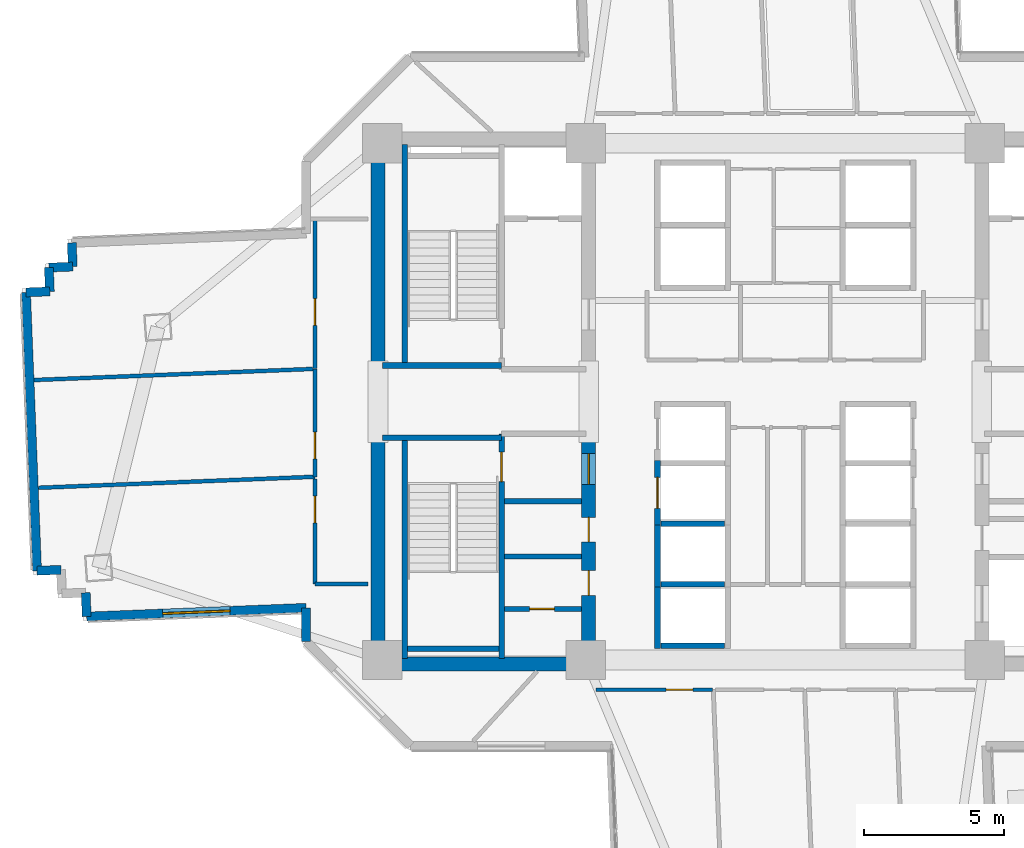
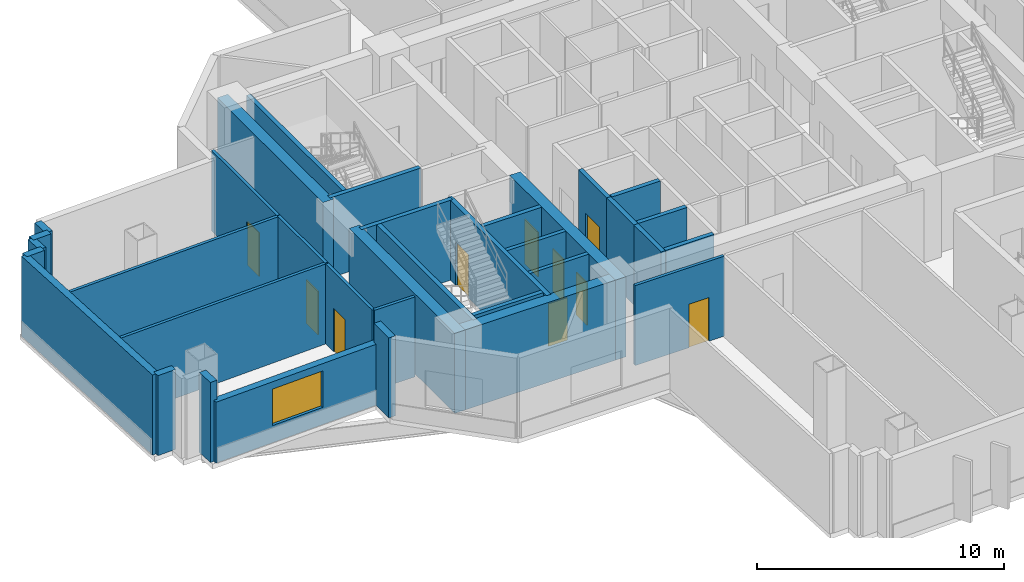
# One storey, part 6 of 16: 35 walls, 10 doors, 1 window, 11 openings.
"""IFC4 building model written with IfcOpenShell, lengths in metres."""

from ifc_helpers import new_model, si_unit, direction, frame, frame_2d, origin, place, context, subcontext, project, spatial, rectangle, extrude, source, transform, mapped, material, layer, layer_set, type_object, element, fill, save


model = new_model("IFC4")

# Units and contexts
model_context = context("Model", 3, precision=1e-05, world=origin(), true_north=direction((0.0, 1.0)))
body_context = subcontext(model_context, "Body", "Model", "MODEL_VIEW")
ifc_project = project(units=[si_unit("LENGTHUNIT", "METRE"), si_unit("AREAUNIT", "SQUARE_METRE"), si_unit("VOLUMEUNIT", "CUBIC_METRE"), si_unit("PLANEANGLEUNIT", "RADIAN"), si_unit("MASSUNIT", "GRAM", prefix="KILO")], contexts=[model_context])

# Site, building, storey
site_placement = place(None, origin())
site = spatial("IfcSite", under=ifc_project, at=site_placement, CompositionType="ELEMENT")
building_placement = place(site_placement, origin())
building = spatial("IfcBuilding", under=site, at=building_placement, Name="Zahravan Cultural Tower", CompositionType="ELEMENT")
storey_placement = place(building_placement, frame((0.0, 0.0, 54.300048828125)))
storey = spatial("IfcBuildingStorey", under=building, at=storey_placement, Name="L11", CompositionType="ELEMENT", Elevation=54.300048828125)

# Wall, openings, doors
ifc_material_1 = material(Name="Concrete C60/75", Category="concrete")
ifc_layer_1 = layer(ifc_material_1, 0.5)
ifc_layer_set_1 = layer_set([ifc_layer_1], Name="Concrete C60/75")
wall_type_1 = type_object("IfcWallType", Name="CW-SHEAR-500-C60", PredefinedType="SHEAR", material=ifc_layer_set_1)
wall_1_placement = place(storey_placement, frame((29.0, 17.39990234375, 0.0), z_axis=(0.0, 0.0, 1.0), x_axis=(0.0, 1.0, 0.0)))
wall_1 = element("IfcWall", 1, at=wall_1_placement, inside=storey, type_object=wall_type_1, Name="L11 Core Shear Wall CW-W-ES-L11", PredefinedType="SHEAR", context=body_context, shape_type="SweptSolid", body=[
    extrude(rectangle(XDim=8.550048828125, YDim=0.5, at=frame_2d((4.27490234375, 0.0))), origin(), (0.0, 0.0, 1.0), 3.949951171875),
])
opening_1_placement = place(wall_1_placement, frame((6.64990234375, 0.0, 0.0)))
opening_1 = element("IfcOpeningElement", 2, at=opening_1_placement, cuts=wall_1, Name="Opening D-L11-07", PredefinedType="OPENING", context=body_context, shape_type="SweptSolid", body=[
    extrude(rectangle(XDim=1.10009765625, YDim=2.199951171875, at=frame_2d((0.550048828125, 1.10009765625))), frame((0.0, 0.260009765625, 0.0), z_axis=(0.0, -1.0, 0.0), x_axis=(1.0, 0.0, 0.0)), (0.0, 0.0, 1.0), 0.52001953125),
])
opening_2_placement = place(wall_1_placement, frame((2.699951171875, 0.0, 0.0)))
opening_2 = element("IfcOpeningElement", 3, at=opening_2_placement, cuts=wall_1, Name="Opening D-L11-10", PredefinedType="OPENING", context=body_context, shape_type="SweptSolid", body=[
    extrude(rectangle(XDim=0.8798828125, YDim=2.10009765625, at=frame_2d((0.43994140625, 1.050048828125))), frame((0.0, 0.260009765625, 0.0), z_axis=(0.0, -1.0, 0.0), x_axis=(1.0, 0.0, 0.0)), (0.0, 0.0, 1.0), 0.52001953125),
])
opening_3_placement = place(wall_1_placement, frame((4.60009765625, 0.0, 0.0)))
opening_3 = element("IfcOpeningElement", 4, at=opening_3_placement, cuts=wall_1, Name="Opening D-L11-11", PredefinedType="OPENING", context=body_context, shape_type="SweptSolid", body=[
    extrude(rectangle(XDim=0.8798828125, YDim=2.10009765625, at=frame_2d((0.43994140625, 1.050048828125))), frame((0.0, 0.260009765625, 0.0), z_axis=(0.0, -1.0, 0.0), x_axis=(1.0, 0.0, 0.0)), (0.0, 0.0, 1.0), 0.52001953125),
])
ifc_material_2 = material(Name="Steel ASTM A572 Grade 50", Category="steel")
door_type_1 = type_object("IfcDoorType", Name="DR-LOBBY-1100", OperationType="NOTDEFINED", PredefinedType="DOOR", material=ifc_material_2)
shared_shape_1 = source(origin(), body_context, "Body", "SweptSolid", [
    extrude(rectangle(XDim=1.10009765625, YDim=2.199951171875, at=frame_2d((0.550048828125, 1.10009765625))), frame((0.0, 0.02490234375, 0.0), z_axis=(0.0, -1.0, 0.0), x_axis=(1.0, 0.0, 0.0)), (0.0, 0.0, 1.0), 0.050048828125),
])
door_1_placement = place(opening_1_placement, origin())
door_1 = element("IfcDoor", 5, at=door_1_placement, inside=storey, type_object=door_type_1, Name="L11 Door D-L11-07", OperationType="SINGLE_SWING_LEFT", OverallHeight=2.199951171875, OverallWidth=1.10009765625, PredefinedType="DOOR", context=body_context, shape_type="MappedRepresentation", body=[
    mapped(shared_shape_1, transform((0.0, 0.0, 0.0), x_axis=(1.0, 0.0, 0.0), y_axis=(0.0, 1.0, 0.0), z_axis=(0.0, 0.0, 1.0), scale=1.0)),
])
fill(opening_1, door_1)
door_type_2 = type_object("IfcDoorType", Name="DR-SVC-880", OperationType="NOTDEFINED", PredefinedType="DOOR", material=ifc_material_2)
shared_shape_2 = source(origin(), body_context, "Body", "SweptSolid", [
    extrude(rectangle(XDim=0.8798828125, YDim=2.10009765625, at=frame_2d((0.43994140625, 1.050048828125))), frame((0.0, 0.02490234375, 0.0), z_axis=(0.0, -1.0, 0.0), x_axis=(1.0, 0.0, 0.0)), (0.0, 0.0, 1.0), 0.050048828125),
])
door_2_placement = place(opening_2_placement, origin())
door_2 = element("IfcDoor", 6, at=door_2_placement, inside=storey, type_object=door_type_2, Name="L11 Door D-L11-10", OperationType="SINGLE_SWING_RIGHT", OverallHeight=2.10009765625, OverallWidth=0.8798828125, PredefinedType="DOOR", context=body_context, shape_type="MappedRepresentation", body=[
    mapped(shared_shape_2, transform((0.0, 0.0, 0.0), x_axis=(1.0, 0.0, 0.0), y_axis=(0.0, 1.0, 0.0), z_axis=(0.0, 0.0, 1.0), scale=1.0)),
])
fill(opening_2, door_2)
door_3_placement = place(opening_3_placement, origin())
door_3 = element("IfcDoor", 7, at=door_3_placement, inside=storey, type_object=door_type_2, Name="L11 Door D-L11-11", OperationType="SINGLE_SWING_LEFT", OverallHeight=2.10009765625, OverallWidth=0.8798828125, PredefinedType="DOOR", context=body_context, shape_type="MappedRepresentation", body=[
    mapped(shared_shape_2, transform((0.0, 0.0, 0.0), x_axis=(1.0, 0.0, 0.0), y_axis=(0.0, 1.0, 0.0), z_axis=(0.0, 0.0, 1.0), scale=1.0)),
])
fill(opening_3, door_3)

# Wall, opening, window
ifc_material_3 = material(Name="Precast concrete C40/50", Category="concrete")
ifc_layer_2 = layer(ifc_material_3, 0.320068359375)
ifc_layer_set_2 = layer_set([ifc_layer_2], Name="Precast concrete C40/50")
wall_type_2 = type_object("IfcWallType", Name="EW-TC-320", PredefinedType="SOLIDWALL", material=ifc_layer_set_2)
wall_2_placement = place(storey_placement, frame((18.93994140625, 19.655517578125, 0.0), z_axis=(0.0, 0.0, 1.0), x_axis=(-0.999208917222, -0.039768577336, 0.0)))
wall_2 = element("IfcWall", 8, at=wall_2_placement, inside=storey, type_object=wall_type_2, Name="L11 Exterior Masonry Frame Wall 28", PredefinedType="SOLIDWALL", context=body_context, shape_type="SweptSolid", body=[
    extrude(rectangle(XDim=7.821044921875, YDim=0.320068359375, at=frame_2d((3.91064453125, 0.0))), origin(), (0.0, 0.0, 1.0), 3.010009765625),
])
opening_4_placement = place(wall_2_placement, frame((2.7109375, 0.0, 0.85009765625)))
opening_4 = element("IfcOpeningElement", 9, at=opening_4_placement, cuts=wall_2, Name="Opening WN-01", PredefinedType="OPENING", context=body_context, shape_type="SweptSolid", body=[
    extrude(rectangle(XDim=2.39990234375, YDim=1.800048828125, at=frame_2d((1.199951171875, 0.89990234375))), frame((0.0, 0.169921875, 0.0), z_axis=(0.0, -1.0, 0.0), x_axis=(1.0, 0.0, 0.0)), (0.0, 0.0, 1.0), 0.340087890625),
])
ifc_material_4 = material(Name="Low-E solar-control double glazing", Category="glass")
window_type = type_object("IfcWindowType", Name="WN-REC-2400X1800", PartitioningType="DOUBLE_PANEL_VERTICAL", PredefinedType="WINDOW", material=ifc_material_4)
shared_shape_3 = source(origin(), body_context, "Body", "SweptSolid", [
    extrude(rectangle(XDim=2.39990234375, YDim=1.800048828125, at=frame_2d((1.199951171875, 0.89990234375))), frame((0.0, 0.030029296875, 0.0), z_axis=(0.0, -1.0, 0.0), x_axis=(1.0, 0.0, 0.0)), (0.0, 0.0, 1.0), 0.06005859375),
])
window_placement = place(opening_4_placement, origin())
window = element("IfcWindow", 10, at=window_placement, inside=storey, type_object=window_type, Name="L11 Recessed Solar Window 08", OverallHeight=1.800048828125, OverallWidth=2.39990234375, PartitioningType="DOUBLE_PANEL_VERTICAL", PredefinedType="WINDOW", context=body_context, shape_type="MappedRepresentation", body=[
    mapped(shared_shape_3, transform((0.0, 0.0, 0.0), x_axis=(1.0, 0.0, 0.0), y_axis=(0.0, 1.0, 0.0), z_axis=(0.0, 0.0, 1.0), scale=1.0)),
])
fill(opening_4, window)

# Wall, opening, door
ifc_material_5 = material(Name="Gypsum plasterboard partition")
ifc_layer_3 = layer(ifc_material_5, 0.179931640625)
ifc_layer_set_3 = layer_set([ifc_layer_3], Name="Gypsum plasterboard partition")
wall_type_3 = type_object("IfcWallType", Name="W-COMP-180", PredefinedType="PARTITIONING", material=ifc_layer_set_3)
wall_3_placement = place(storey_placement, frame((26.0, 19.6201171875, 0.0), z_axis=(0.0, 0.0, 1.0), x_axis=(1.0, 0.0, 0.0)))
wall_3 = element("IfcWall", 11, at=wall_3_placement, inside=storey, type_object=wall_type_3, Name="L11 Interior Wall 026", PredefinedType="PARTITIONING", context=body_context, shape_type="SweptSolid", body=[
    extrude(rectangle(XDim=2.75, YDim=0.179931640625, at=frame_2d((1.375, 0.0))), origin(), (0.0, 0.0, 1.0), 3.949951171875),
])
opening_5_placement = place(wall_3_placement, frame((0.89990234375, 0.0, 0.0)))
opening_5 = element("IfcOpeningElement", 12, at=opening_5_placement, cuts=wall_3, Name="Opening D-L11-09", PredefinedType="OPENING", context=body_context, shape_type="SweptSolid", body=[
    extrude(rectangle(XDim=0.8798828125, YDim=2.10009765625, at=frame_2d((0.43994140625, 1.050048828125))), frame((0.0, 0.099853515625, 0.0), z_axis=(0.0, -1.0, 0.0), x_axis=(1.0, 0.0, 0.0)), (0.0, 0.0, 1.0), 0.199951171875),
])
door_4_placement = place(opening_5_placement, origin())
door_4 = element("IfcDoor", 13, at=door_4_placement, inside=storey, type_object=door_type_2, Name="L11 Door D-L11-09", OperationType="SINGLE_SWING_LEFT", OverallHeight=2.10009765625, OverallWidth=0.8798828125, PredefinedType="DOOR", context=body_context, shape_type="MappedRepresentation", body=[
    mapped(shared_shape_2, transform((0.0, 0.0, 0.0), x_axis=(1.0, 0.0, 0.0), y_axis=(0.0, 1.0, 0.0), z_axis=(0.0, 0.0, 1.0), scale=1.0)),
])
fill(opening_5, door_4)

ifc_layer_4 = layer(ifc_material_5, 0.139892578125)
ifc_layer_set_4 = layer_set([ifc_layer_4], Name="Gypsum plasterboard partition")
wall_type_4 = type_object("IfcWallType", Name="W-PART-140", PredefinedType="PARTITIONING", material=ifc_layer_set_4)
wall_4_placement = place(storey_placement, frame((19.25, 28.16455078125, 0.0), z_axis=(0.0, 0.0, 1.0), x_axis=(0.0, -1.0, 0.0)))
wall_4 = element("IfcWall", 14, at=wall_4_placement, inside=storey, type_object=wall_type_4, Name="L11 Interior Wall 094", PredefinedType="PARTITIONING", context=body_context, shape_type="SweptSolid", body=[
    extrude(rectangle(XDim=3.843017578125, YDim=0.139892578125, at=frame_2d((1.92138671875, 0.0))), origin(), (0.0, 0.0, 1.0), 3.949951171875),
])
opening_6_placement = place(wall_4_placement, frame((2.256591796875, 0.0, 0.0)))
opening_6 = element("IfcOpeningElement", 15, at=opening_6_placement, cuts=wall_4, Name="Opening D-L11-29", PredefinedType="OPENING", context=body_context, shape_type="SweptSolid", body=[
    extrude(rectangle(XDim=0.949951171875, YDim=2.14990234375, at=frame_2d((0.47509765625, 1.074951171875))), frame((0.0, 0.079833984375, 0.0), z_axis=(0.0, -1.0, 0.0), x_axis=(1.0, 0.0, 0.0)), (0.0, 0.0, 1.0), 0.159912109375),
])
ifc_material_6 = material(Name="Anodised bronze-aluminium mullion", Category="aluminium")
door_type_3 = type_object("IfcDoorType", Name="DR-ROOM-950", OperationType="NOTDEFINED", PredefinedType="DOOR", material=ifc_material_6)
shared_shape_4 = source(origin(), body_context, "Body", "SweptSolid", [
    extrude(rectangle(XDim=0.949951171875, YDim=2.14990234375, at=frame_2d((0.47509765625, 1.074951171875))), frame((0.0, 0.02490234375, 0.0), z_axis=(0.0, -1.0, 0.0), x_axis=(1.0, 0.0, 0.0)), (0.0, 0.0, 1.0), 0.050048828125),
])
door_5_placement = place(opening_6_placement, origin())
door_5 = element("IfcDoor", 16, at=door_5_placement, inside=storey, type_object=door_type_3, Name="L11 Door D-L11-29", OperationType="SINGLE_SWING_LEFT", OverallHeight=2.14990234375, OverallWidth=0.949951171875, PredefinedType="DOOR", context=body_context, shape_type="MappedRepresentation", body=[
    mapped(shared_shape_4, transform((0.0, 0.0, 0.0), x_axis=(1.0, 0.0, 0.0), y_axis=(0.0, 1.0, 0.0), z_axis=(0.0, 0.0, 1.0), scale=1.0)),
])
fill(opening_6, door_5)

wall_5_placement = place(storey_placement, frame((19.25048828125, 33.496337890625, 0.0), z_axis=(0.0, 0.0, 1.0), x_axis=(-9.1924438e-05, -0.999999995775, 0.0)))
wall_5 = element("IfcWall", 17, at=wall_5_placement, inside=storey, type_object=wall_type_4, Name="L11 Interior Wall 114", PredefinedType="PARTITIONING", context=body_context, shape_type="SweptSolid", body=[
    extrude(rectangle(XDim=5.311767578125, YDim=0.139892578125, at=frame_2d((2.65576171875, 0.0))), origin(), (0.0, 0.0, 1.0), 3.949951171875),
])
opening_7_placement = place(wall_5_placement, frame((2.835205078125, 0.0, 0.0)))
opening_7 = element("IfcOpeningElement", 18, at=opening_7_placement, cuts=wall_5, Name="Opening D-L11-28", PredefinedType="OPENING", context=body_context, shape_type="SweptSolid", body=[
    extrude(rectangle(XDim=0.949951171875, YDim=2.14990234375, at=frame_2d((0.47509765625, 1.074951171875))), frame((0.0, 0.079833984375, 0.0), z_axis=(0.0, -1.0, 0.0), x_axis=(1.0, 0.0, 0.0)), (0.0, 0.0, 1.0), 0.159912109375),
])
door_6_placement = place(opening_7_placement, origin())
door_6 = element("IfcDoor", 19, at=door_6_placement, inside=storey, type_object=door_type_3, Name="L11 Door D-L11-28", OperationType="SINGLE_SWING_RIGHT", OverallHeight=2.14990234375, OverallWidth=0.949951171875, PredefinedType="DOOR", context=body_context, shape_type="MappedRepresentation", body=[
    mapped(shared_shape_4, transform((0.0, 0.0, 0.0), x_axis=(1.0, 0.0, 0.0), y_axis=(0.0, 1.0, 0.0), z_axis=(0.0, 0.0, 1.0), scale=1.0)),
])
fill(opening_7, door_6)

wall_6_placement = place(storey_placement, frame((19.25, 24.24658203125, 0.0), z_axis=(0.0, 0.0, 1.0), x_axis=(0.000326008981, -0.999999946859, 0.0)))
wall_6 = element("IfcWall", 20, at=wall_6_placement, inside=storey, type_object=wall_type_4, Name="L11 Interior Wall 123", PredefinedType="PARTITIONING", context=body_context, shape_type="SweptSolid", body=[
    extrude(rectangle(XDim=3.744384765625, YDim=0.139892578125, at=frame_2d((1.8720703125, 0.0))), origin(), (0.0, 0.0, 1.0), 3.949951171875),
])
opening_8_placement = place(wall_6_placement, frame((0.61474609375, 0.0, 0.0)))
opening_8 = element("IfcOpeningElement", 21, at=opening_8_placement, cuts=wall_6, Name="Opening D-L11-30", PredefinedType="OPENING", context=body_context, shape_type="SweptSolid", body=[
    extrude(rectangle(XDim=0.949951171875, YDim=2.14990234375, at=frame_2d((0.47509765625, 1.074951171875))), frame((0.0, 0.079833984375, 0.0), z_axis=(0.0, -1.0, 0.0), x_axis=(1.0, 0.0, 0.0)), (0.0, 0.0, 1.0), 0.159912109375),
])
door_7_placement = place(opening_8_placement, origin())
door_7 = element("IfcDoor", 22, at=door_7_placement, inside=storey, type_object=door_type_3, Name="L11 Door D-L11-30", OperationType="SINGLE_SWING_RIGHT", OverallHeight=2.14990234375, OverallWidth=0.949951171875, PredefinedType="DOOR", context=body_context, shape_type="MappedRepresentation", body=[
    mapped(shared_shape_4, transform((0.0, 0.0, 0.0), x_axis=(1.0, 0.0, 0.0), y_axis=(0.0, 1.0, 0.0), z_axis=(0.0, 0.0, 1.0), scale=1.0)),
])
fill(opening_8, door_7)

wall_7_placement = place(storey_placement, frame((29.257568359375, 16.740234375, 0.0), z_axis=(0.0, 0.0, 1.0), x_axis=(0.999999998277, -5.8706117e-05, 0.0)))
wall_7 = element("IfcWall", 23, at=wall_7_placement, inside=storey, type_object=wall_type_4, Name="L11 Interior Wall 125", PredefinedType="PARTITIONING", context=body_context, shape_type="SweptSolid", body=[
    extrude(rectangle(XDim=4.15869140625, YDim=0.139892578125, at=frame_2d((2.079345703125, 0.0))), origin(), (0.0, 0.0, 1.0), 3.949951171875),
])
opening_9_placement = place(wall_7_placement, frame((2.502685546875, 0.0, 0.0)))
opening_9 = element("IfcOpeningElement", 24, at=opening_9_placement, cuts=wall_7, Name="Opening D-L11-31", PredefinedType="OPENING", context=body_context, shape_type="SweptSolid", body=[
    extrude(rectangle(XDim=0.949951171875, YDim=2.14990234375, at=frame_2d((0.47509765625, 1.074951171875))), frame((0.0, 0.079833984375, 0.0), z_axis=(0.0, -1.0, 0.0), x_axis=(1.0, 0.0, 0.0)), (0.0, 0.0, 1.0), 0.159912109375),
])
door_8_placement = place(opening_9_placement, origin())
door_8 = element("IfcDoor", 25, at=door_8_placement, inside=storey, type_object=door_type_3, Name="L11 Door D-L11-31", OperationType="SINGLE_SWING_LEFT", OverallHeight=2.14990234375, OverallWidth=0.949951171875, PredefinedType="DOOR", context=body_context, shape_type="MappedRepresentation", body=[
    mapped(shared_shape_4, transform((0.0, 0.0, 0.0), x_axis=(1.0, 0.0, 0.0), y_axis=(0.0, 1.0, 0.0), z_axis=(0.0, 0.0, 1.0), scale=1.0)),
])
fill(opening_9, door_8)

ifc_material_7 = material(Name="Concrete C45/55", Category="concrete")
ifc_layer_5 = layer(ifc_material_7, 0.199951171875)
ifc_layer_set_5 = layer_set([ifc_layer_5], Name="Concrete C45/55")
wall_type_5 = type_object("IfcWallType", Name="W-SHAFT-200", PredefinedType="SOLIDWALL", material=ifc_layer_set_5)
wall_8_placement = place(storey_placement, frame((25.89990234375, 17.85009765625, 0.0), z_axis=(0.0, 0.0, 1.0), x_axis=(0.0, 1.0, 0.0)))
wall_8 = element("IfcWall", 26, at=wall_8_placement, inside=storey, type_object=wall_type_5, Name="L11 Interior Wall 005", PredefinedType="SOLIDWALL", context=body_context, shape_type="SweptSolid", body=[
    extrude(rectangle(XDim=8.0, YDim=0.199951171875, at=frame_2d((4.0, 0.0))), origin(), (0.0, 0.0, 1.0), 3.949951171875),
])
opening_10_placement = place(wall_8_placement, frame((6.300048828125, 0.0, 0.0)))
opening_10 = element("IfcOpeningElement", 27, at=opening_10_placement, cuts=wall_8, Name="Opening D-L11-04", PredefinedType="OPENING", context=body_context, shape_type="SweptSolid", body=[
    extrude(rectangle(XDim=1.050048828125, YDim=2.14990234375, at=frame_2d((0.52490234375, 1.074951171875))), frame((0.0, 0.10986328125, 0.0), z_axis=(0.0, -1.0, 0.0), x_axis=(1.0, 0.0, 0.0)), (0.0, 0.0, 1.0), 0.219970703125),
])
door_type_4 = type_object("IfcDoorType", Name="DR-STAIR-1050", OperationType="NOTDEFINED", PredefinedType="DOOR", material=ifc_material_2)
shared_shape_5 = source(origin(), body_context, "Body", "SweptSolid", [
    extrude(rectangle(XDim=1.050048828125, YDim=2.14990234375, at=frame_2d((0.52490234375, 1.074951171875))), frame((0.0, 0.02490234375, 0.0), z_axis=(0.0, -1.0, 0.0), x_axis=(1.0, 0.0, 0.0)), (0.0, 0.0, 1.0), 0.050048828125),
])
door_9_placement = place(opening_10_placement, origin())
door_9 = element("IfcDoor", 28, at=door_9_placement, inside=storey, type_object=door_type_4, Name="L11 Door D-L11-04", OperationType="SINGLE_SWING_RIGHT", OverallHeight=2.14990234375, OverallWidth=1.050048828125, PredefinedType="DOOR", context=body_context, shape_type="MappedRepresentation", body=[
    mapped(shared_shape_5, transform((0.0, 0.0, 0.0), x_axis=(1.0, 0.0, 0.0), y_axis=(0.0, 1.0, 0.0), z_axis=(0.0, 0.0, 1.0), scale=1.0)),
])
fill(opening_10, door_9)

wall_9_placement = place(storey_placement, frame((31.449951171875, 22.60009765625, 0.0), z_axis=(0.0, 0.0, 1.0), x_axis=(0.0, 1.0, 0.0)))
wall_9 = element("IfcWall", 29, at=wall_9_placement, inside=storey, type_object=wall_type_5, Name="L11 Interior Wall 061", PredefinedType="SOLIDWALL", context=body_context, shape_type="SweptSolid", body=[
    extrude(rectangle(XDim=2.2998046875, YDim=0.199951171875, at=frame_2d((1.14990234375, 0.0))), origin(), (0.0, 0.0, 1.0), 3.949951171875),
])
opening_11_placement = place(wall_9_placement, frame((0.60009765625, 0.0, 0.0)))
opening_11 = element("IfcOpeningElement", 30, at=opening_11_placement, cuts=wall_9, Name="Opening LD-L11-05", PredefinedType="OPENING", context=body_context, shape_type="SweptSolid", body=[
    extrude(rectangle(XDim=1.10009765625, YDim=2.14990234375, at=frame_2d((0.550048828125, 1.074951171875))), frame((0.0, 0.10986328125, 0.0), z_axis=(0.0, -1.0, 0.0), x_axis=(1.0, 0.0, 0.0)), (0.0, 0.0, 1.0), 0.219970703125),
])
door_type_5 = type_object("IfcDoorType", Name="DR-LIFT-1100", OperationType="DOUBLE_DOOR_SLIDING", PredefinedType="DOOR", material=ifc_material_2)
shared_shape_6 = source(origin(), body_context, "Body", "SweptSolid", [
    extrude(rectangle(XDim=1.10009765625, YDim=2.14990234375, at=frame_2d((0.550048828125, 1.074951171875))), frame((0.0, 0.02490234375, 0.0), z_axis=(0.0, -1.0, 0.0), x_axis=(1.0, 0.0, 0.0)), (0.0, 0.0, 1.0), 0.050048828125),
])
door_10_placement = place(opening_11_placement, origin())
door_10 = element("IfcDoor", 31, at=door_10_placement, inside=storey, type_object=door_type_5, Name="L11 Door LD-L11-05", OperationType="DOUBLE_DOOR_SLIDING", OverallHeight=2.14990234375, OverallWidth=1.10009765625, PredefinedType="DOOR", context=body_context, shape_type="MappedRepresentation", body=[
    mapped(shared_shape_6, transform((0.0, 0.0, 0.0), x_axis=(1.0, 0.0, 0.0), y_axis=(0.0, 1.0, 0.0), z_axis=(0.0, 0.0, 1.0), scale=1.0)),
])
fill(opening_11, door_10)

# Walls
shared_shape_7 = source(origin(), body_context, "Body", "SweptSolid", [
    extrude(rectangle(XDim=8.550048828125, YDim=0.5, at=frame_2d((4.27490234375, 0.0))), origin(), (0.0, 0.0, 1.0), 3.949951171875),
])
for number, where, z_axis, x_axis, name in (
    (32, (21.5, 17.39990234375, 0.0), (0.0, 0.0, 1.0), (0.0, 1.0, 0.0), "L11 Core Shear Wall CW-W-WS-L11"),
    (33, (21.5, 28.050048828125, 0.0), (0.0, 0.0, 1.0), (0.0, 1.0, 0.0), "L11 Core Shear Wall CW-W-WN-L11"),
):
    element("IfcWall", number, at=place(storey_placement, frame(where, z_axis=z_axis, x_axis=x_axis)), inside=storey, type_object=wall_type_1, Name=name, PredefinedType="SHEAR", context=body_context, shape_type="MappedRepresentation", body=[
        mapped(shared_shape_7, transform((0.0, 0.0, 0.0), x_axis=(1.0, 0.0, 0.0), y_axis=(0.0, 1.0, 0.0), z_axis=(0.0, 0.0, 1.0), scale=1.0)),
    ])
shared_shape_8 = source(origin(), body_context, "Body", "SweptSolid", [
    extrude(rectangle(XDim=7.0, YDim=0.5, at=frame_2d((3.5, 0.0))), origin(), (0.0, 0.0, 1.0), 3.949951171875),
])
wall_10_placement = place(storey_placement, frame((21.75, 17.64990234375, 0.0), z_axis=(0.0, 0.0, 1.0), x_axis=(1.0, 0.0, 0.0)))
element("IfcWall", 34, at=wall_10_placement, inside=storey, type_object=wall_type_1, Name="L11 Core Shear Wall CW-W-S-L11", PredefinedType="SHEAR", context=body_context, shape_type="MappedRepresentation", body=[
    mapped(shared_shape_8, transform((0.0, 0.0, 0.0), x_axis=(1.0, 0.0, 0.0), y_axis=(0.0, 1.0, 0.0), z_axis=(0.0, 0.0, 1.0), scale=1.0)),
])
shared_shape_9 = source(origin(), body_context, "Body", "SweptSolid", [
    extrude(rectangle(XDim=0.849853515625, YDim=0.320068359375, at=frame_2d((0.4248046875, 0.0))), origin(), (0.0, 0.0, 1.0), 3.949951171875),
])
for number, where, z_axis, x_axis, name in (
    (35, (11.125, 19.344482421875, 0.0), (0.0, 0.0, 1.0), (-0.039933618331, 0.999202334929, 0.0), "L11 Exterior Masonry Frame Wall 29"),
    (36, (8.964111328125, 30.887451171875, 0.0), (0.0, 0.0, 1.0), (0.999202334929, 0.039933618331, 0.0), "L11 Exterior Masonry Frame Wall 34"),
):
    element("IfcWall", number, at=place(storey_placement, frame(where, z_axis=z_axis, x_axis=x_axis)), inside=storey, type_object=wall_type_2, Name=name, PredefinedType="SOLIDWALL", context=body_context, shape_type="MappedRepresentation", body=[
        mapped(shared_shape_9, transform((0.0, 0.0, 0.0), x_axis=(1.0, 0.0, 0.0), y_axis=(0.0, 1.0, 0.0), z_axis=(0.0, 0.0, 1.0), scale=1.0)),
    ])
shared_shape_10 = source(origin(), body_context, "Body", "SweptSolid", [
    extrude(rectangle(XDim=0.85009765625, YDim=0.320068359375, at=frame_2d((0.425048828125, 0.0))), origin(), (0.0, 0.0, 1.0), 3.949951171875),
])
for number, where, z_axis, x_axis, name in (
    (37, (10.2080078125, 21.00927734375, 0.0), (0.0, 0.0, 1.0), (-0.999202792875, -0.039922158152, 0.0), "L11 Exterior Masonry Frame Wall 32"),
    (38, (9.813232421875, 30.92138671875, 0.0), (0.0, 0.0, 1.0), (-0.039635401209, 0.999214208752, 0.0), "L11 Exterior Masonry Frame Wall 35"),
    (39, (9.779541015625, 31.770751953125, 0.0), (0.0, 0.0, 1.0), (0.999214208752, 0.039635401209, 0.0), "L11 Exterior Masonry Frame Wall 36"),
    (40, (10.62890625, 31.804443359375, 0.0), (0.0, 0.0, 1.0), (-0.039922158152, 0.999202792875, 0.0), "L11 Exterior Masonry Frame Wall 37"),
):
    element("IfcWall", number, at=place(storey_placement, frame(where, z_axis=z_axis, x_axis=x_axis)), inside=storey, type_object=wall_type_2, Name=name, PredefinedType="SOLIDWALL", context=body_context, shape_type="MappedRepresentation", body=[
        mapped(shared_shape_10, transform((0.0, 0.0, 0.0), x_axis=(1.0, 0.0, 0.0), y_axis=(0.0, 1.0, 0.0), z_axis=(0.0, 0.0, 1.0), scale=1.0)),
    ])
shared_shape_11 = source(origin(), body_context, "Body", "SweptSolid", [
    extrude(rectangle(XDim=9.919921875, YDim=0.320068359375, at=frame_2d((4.9599609375, 0.0))), origin(), (0.0, 0.0, 1.0), 3.949951171875),
])
wall_11_placement = place(storey_placement, frame((9.358642578125, 20.975341796875, 0.0), z_axis=(0.0, 0.0, 1.0), x_axis=(-0.03977146366, 0.999208802342, 0.0)))
element("IfcWall", 41, at=wall_11_placement, inside=storey, type_object=wall_type_2, Name="L11 Exterior Masonry Frame Wall 33", PredefinedType="SOLIDWALL", context=body_context, shape_type="MappedRepresentation", body=[
    mapped(shared_shape_11, transform((0.0, 0.0, 0.0), x_axis=(1.0, 0.0, 0.0), y_axis=(0.0, 1.0, 0.0), z_axis=(0.0, 0.0, 1.0), scale=1.0)),
])
shared_shape_12 = source(origin(), body_context, "Body", "SweptSolid", [
    extrude(rectangle(XDim=1.197509765625, YDim=0.320068359375, at=frame_2d((0.5986328125, 0.0))), origin(), (0.0, 0.0, 1.0), 3.949951171875),
])
wall_12_placement = place(storey_placement, frame((18.93994140625, 18.4580078125, 0.0), z_axis=(0.0, 0.0, 1.0), x_axis=(0.0, 1.0, 0.0)))
element("IfcWall", 42, at=wall_12_placement, inside=storey, type_object=wall_type_2, Name="L11 Exterior Masonry Frame Wall 27", PredefinedType="SOLIDWALL", context=body_context, shape_type="MappedRepresentation", body=[
    mapped(shared_shape_12, transform((0.0, 0.0, 0.0), x_axis=(1.0, 0.0, 0.0), y_axis=(0.0, 1.0, 0.0), z_axis=(0.0, 0.0, 1.0), scale=1.0)),
])
shared_shape_13 = source(origin(), body_context, "Body", "SweptSolid", [
    extrude(rectangle(XDim=7.869873046875, YDim=0.199951171875, at=frame_2d((3.93505859375, 0.0))), origin(), (0.0, 0.0, 1.0), 3.949951171875),
])
for number, where, z_axis, x_axis, name in (
    (43, (22.449951171875, 17.85009765625, 0.0), (0.0, 0.0, 1.0), (0.0, 1.0, 0.0), "L11 Interior Wall 001"),
    (44, (22.449951171875, 28.280029296875, 0.0), (0.0, 0.0, 1.0), (0.0, 1.0, 0.0), "L11 Interior Wall 002"),
):
    element("IfcWall", number, at=place(storey_placement, frame(where, z_axis=z_axis, x_axis=x_axis)), inside=storey, type_object=wall_type_5, Name=name, PredefinedType="SOLIDWALL", context=body_context, shape_type="MappedRepresentation", body=[
        mapped(shared_shape_13, transform((0.0, 0.0, 0.0), x_axis=(1.0, 0.0, 0.0), y_axis=(0.0, 1.0, 0.0), z_axis=(0.0, 0.0, 1.0), scale=1.0)),
    ])
shared_shape_14 = source(origin(), body_context, "Body", "SweptSolid", [
    extrude(rectangle(XDim=4.25, YDim=0.199951171875, at=frame_2d((2.125, 0.0))), origin(), (0.0, 0.0, 1.0), 3.949951171875),
])
for number, where, z_axis, x_axis, name in (
    (45, (21.64990234375, 25.715087890625, 0.0), (0.0, 0.0, 1.0), (1.0, 0.0, 0.0), "L11 Interior Wall 009"),
    (46, (21.64990234375, 28.284912109375, 0.0), (0.0, 0.0, 1.0), (1.0, 0.0, 0.0), "L11 Interior Wall 011"),
):
    element("IfcWall", number, at=place(storey_placement, frame(where, z_axis=z_axis, x_axis=x_axis)), inside=storey, type_object=wall_type_5, Name=name, PredefinedType="SOLIDWALL", context=body_context, shape_type="MappedRepresentation", body=[
        mapped(shared_shape_14, transform((0.0, 0.0, 0.0), x_axis=(1.0, 0.0, 0.0), y_axis=(0.0, 1.0, 0.0), z_axis=(0.0, 0.0, 1.0), scale=1.0)),
    ])
shared_shape_15 = source(origin(), body_context, "Body", "SweptSolid", [
    extrude(rectangle(XDim=3.25, YDim=0.199951171875, at=frame_2d((1.625, 0.0))), origin(), (0.0, 0.0, 1.0), 3.949951171875),
])
wall_13_placement = place(storey_placement, frame((22.550048828125, 18.199951171875, 0.0), z_axis=(0.0, 0.0, 1.0), x_axis=(1.0, 0.0, 0.0)))
element("IfcWall", 47, at=wall_13_placement, inside=storey, type_object=wall_type_5, Name="L11 Interior Wall 019", PredefinedType="SOLIDWALL", context=body_context, shape_type="MappedRepresentation", body=[
    mapped(shared_shape_15, transform((0.0, 0.0, 0.0), x_axis=(1.0, 0.0, 0.0), y_axis=(0.0, 1.0, 0.0), z_axis=(0.0, 0.0, 1.0), scale=1.0)),
])
shared_shape_16 = source(origin(), body_context, "Body", "SweptSolid", [
    extrude(rectangle(XDim=2.75, YDim=0.199951171875, at=frame_2d((1.375, 0.0))), origin(), (0.0, 0.0, 1.0), 3.949951171875),
])
wall_14_placement = place(storey_placement, frame((26.0, 23.449951171875, 0.0), z_axis=(0.0, 0.0, 1.0), x_axis=(1.0, 0.0, 0.0)))
element("IfcWall", 48, at=wall_14_placement, inside=storey, type_object=wall_type_5, Name="L11 Interior Wall 023", PredefinedType="SOLIDWALL", context=body_context, shape_type="MappedRepresentation", body=[
    mapped(shared_shape_16, transform((0.0, 0.0, 0.0), x_axis=(1.0, 0.0, 0.0), y_axis=(0.0, 1.0, 0.0), z_axis=(0.0, 0.0, 1.0), scale=1.0)),
])
shared_shape_17 = source(origin(), body_context, "Body", "SweptSolid", [
    extrude(rectangle(XDim=2.260009765625, YDim=0.199951171875, at=frame_2d((1.1298828125, 0.0))), origin(), (0.0, 0.0, 1.0), 3.949951171875),
])
for number, where, z_axis, x_axis, name in (
    (49, (31.570068359375, 20.5, 0.0), (0.0, 0.0, 1.0), (1.0, 0.0, 0.0), "L11 Interior Wall 045"),
    (50, (31.570068359375, 22.64990234375, 0.0), (0.0, 0.0, 1.0), (1.0, 0.0, 0.0), "L11 Interior Wall 046"),
    (51, (31.570068359375, 18.300048828125, 0.0), (0.0, 0.0, 1.0), (1.0, 0.0, 0.0), "L11 Interior Wall 049"),
):
    element("IfcWall", number, at=place(storey_placement, frame(where, z_axis=z_axis, x_axis=x_axis)), inside=storey, type_object=wall_type_5, Name=name, PredefinedType="SOLIDWALL", context=body_context, shape_type="MappedRepresentation", body=[
        mapped(shared_shape_17, transform((0.0, 0.0, 0.0), x_axis=(1.0, 0.0, 0.0), y_axis=(0.0, 1.0, 0.0), z_axis=(0.0, 0.0, 1.0), scale=1.0)),
    ])
shared_shape_18 = source(origin(), body_context, "Body", "SweptSolid", [
    extrude(rectangle(XDim=2.35009765625, YDim=0.199951171875, at=frame_2d((1.175048828125, 0.0))), origin(), (0.0, 0.0, 1.0), 3.949951171875),
])
for number, where, z_axis, x_axis, name in (
    (52, (31.449951171875, 20.39990234375, 0.0), (0.0, 0.0, 1.0), (0.0, 1.0, 0.0), "L11 Interior Wall 043"),
    (53, (31.449951171875, 18.199951171875, 0.0), (0.0, 0.0, 1.0), (0.0, 1.0, 0.0), "L11 Interior Wall 047"),
):
    element("IfcWall", number, at=place(storey_placement, frame(where, z_axis=z_axis, x_axis=x_axis)), inside=storey, type_object=wall_type_5, Name=name, PredefinedType="SOLIDWALL", context=body_context, shape_type="MappedRepresentation", body=[
        mapped(shared_shape_18, transform((0.0, 0.0, 0.0), x_axis=(1.0, 0.0, 0.0), y_axis=(0.0, 1.0, 0.0), z_axis=(0.0, 0.0, 1.0), scale=1.0)),
    ])
shared_shape_19 = source(origin(), body_context, "Body", "SweptSolid", [
    extrude(rectangle(XDim=2.75, YDim=0.179931640625, at=frame_2d((1.375, 0.0))), origin(), (0.0, 0.0, 1.0), 3.949951171875),
])
wall_15_placement = place(storey_placement, frame((26.0, 21.47998046875, 0.0), z_axis=(0.0, 0.0, 1.0), x_axis=(1.0, 0.0, 0.0)))
element("IfcWall", 54, at=wall_15_placement, inside=storey, type_object=wall_type_3, Name="L11 Interior Wall 027", PredefinedType="PARTITIONING", context=body_context, shape_type="MappedRepresentation", body=[
    mapped(shared_shape_19, transform((0.0, 0.0, 0.0), x_axis=(1.0, 0.0, 0.0), y_axis=(0.0, 1.0, 0.0), z_axis=(0.0, 0.0, 1.0), scale=1.0)),
])
shared_shape_20 = source(origin(), body_context, "Body", "SweptSolid", [
    extrude(rectangle(XDim=9.850830078125, YDim=0.139892578125, at=frame_2d((4.92529296875, 0.0))), origin(), (0.0, 0.0, 1.0), 3.949951171875),
])
wall_16_placement = place(storey_placement, frame((19.2490234375, 24.321533203125, 0.0), z_axis=(0.0, 0.0, 1.0), x_axis=(-0.999208542072, -0.039778002084, 0.0)))
element("IfcWall", 55, at=wall_16_placement, inside=storey, type_object=wall_type_4, Name="L11 Interior Wall 095", PredefinedType="PARTITIONING", context=body_context, shape_type="MappedRepresentation", body=[
    mapped(shared_shape_20, transform((0.0, 0.0, 0.0), x_axis=(1.0, 0.0, 0.0), y_axis=(0.0, 1.0, 0.0), z_axis=(0.0, 0.0, 1.0), scale=1.0)),
])
shared_shape_21 = source(origin(), body_context, "Body", "SweptSolid", [
    extrude(rectangle(XDim=9.929443359375, YDim=0.139892578125, at=frame_2d((4.96484375, 0.0))), origin(), (0.0, 0.0, 1.0), 3.949951171875),
])
wall_17_placement = place(storey_placement, frame((9.25341796875, 27.7666015625, 0.0), z_axis=(0.0, 0.0, 1.0), x_axis=(0.999208364847, 0.039782453661, 0.0)))
element("IfcWall", 56, at=wall_17_placement, inside=storey, type_object=wall_type_4, Name="L11 Interior Wall 096", PredefinedType="PARTITIONING", context=body_context, shape_type="MappedRepresentation", body=[
    mapped(shared_shape_21, transform((0.0, 0.0, 0.0), x_axis=(1.0, 0.0, 0.0), y_axis=(0.0, 1.0, 0.0), z_axis=(0.0, 0.0, 1.0), scale=1.0)),
])
shared_shape_22 = source(origin(), body_context, "Body", "SweptSolid", [
    extrude(rectangle(XDim=1.897705078125, YDim=0.139892578125, at=frame_2d((0.94873046875, 0.0))), origin(), (0.0, 0.0, 1.0), 3.949951171875),
])
wall_18_placement = place(storey_placement, frame((19.251220703125, 20.502197265625, 0.0), z_axis=(0.0, 0.0, 1.0), x_axis=(0.999999793113, -0.00064325215, 0.0)))
element("IfcWall", 57, at=wall_18_placement, inside=storey, type_object=wall_type_4, Name="L11 Interior Wall 121", PredefinedType="PARTITIONING", context=body_context, shape_type="MappedRepresentation", body=[
    mapped(shared_shape_22, transform((0.0, 0.0, 0.0), x_axis=(1.0, 0.0, 0.0), y_axis=(0.0, 1.0, 0.0), z_axis=(0.0, 0.0, 1.0), scale=1.0)),
])

save(model, "model.ifc")
